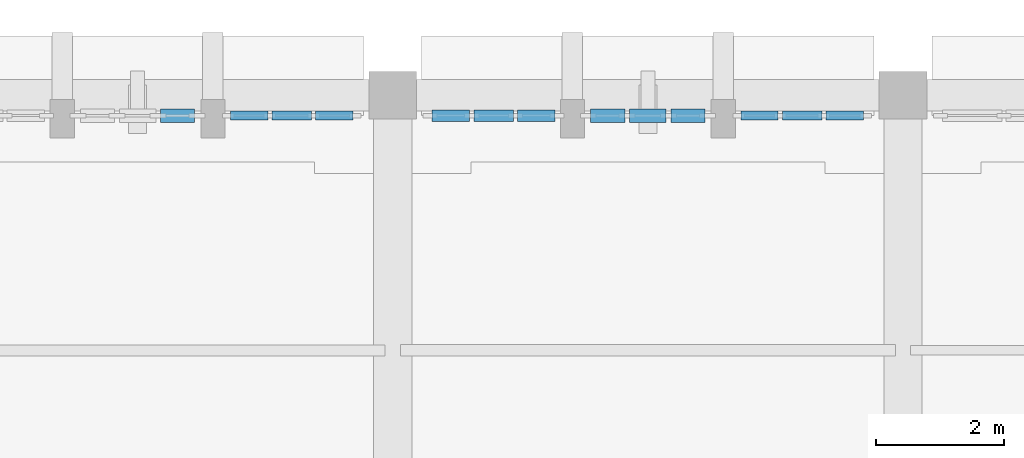
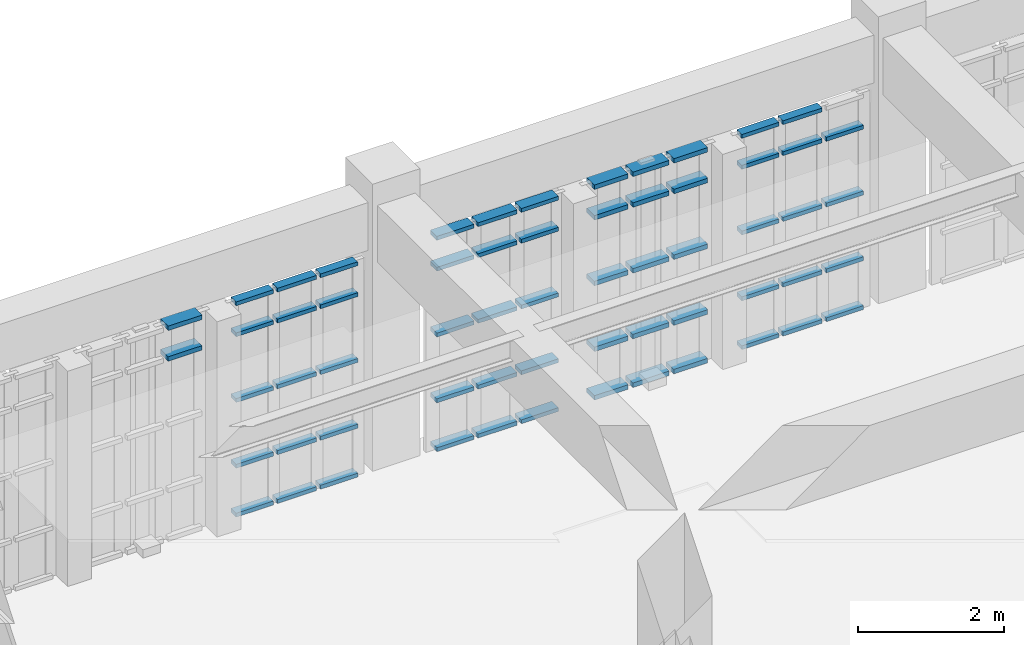
# One storey, part 72 of 155: 61 members, 5 elements without a shape of their own.
"""IFC4 building model written with IfcOpenShell, lengths in metres."""

from ifc_helpers import new_model, si_unit, direction, frame, origin, origin_2d, place, context, subcontext, project, spatial, rectangle, extrude, material, layer, layer_set, material_profile, profile_set, type_object, element, aggregate, save


model = new_model("IFC4")

# Units and contexts
model_context = context("Model", 3, precision=1e-05, world=origin(), true_north=direction((0.0, 1.0)))
body_context = subcontext(model_context, "Body", "Model", "MODEL_VIEW")
ifc_project = project(units=[si_unit("LENGTHUNIT", "METRE"), si_unit("AREAUNIT", "SQUARE_METRE"), si_unit("VOLUMEUNIT", "CUBIC_METRE"), si_unit("PLANEANGLEUNIT", "RADIAN"), si_unit("MASSUNIT", "GRAM", prefix="KILO")], contexts=[model_context])

# Site, building, storey
site_placement = place(None, origin())
site = spatial("IfcSite", under=ifc_project, at=site_placement, CompositionType="ELEMENT")
building_placement = place(site_placement, origin())
building = spatial("IfcBuilding", under=site, at=building_placement, Name="Tazarka Park Arena", CompositionType="ELEMENT")
storey_placement = place(building_placement, frame((0.0, 0.0, 5.39990234375)))
storey = spatial("IfcBuildingStorey", under=building, at=storey_placement, Name="L01", CompositionType="ELEMENT", Elevation=5.39990234375)

# Curtain wall, members
ifc_material_1 = material(Name="Aluminium and low-e glass", Category="aluminium")
ifc_layer_1 = layer(ifc_material_1, 0.179931640625, Name="Aluminium and low-e glass")
ifc_layer_set_1 = layer_set([ifc_layer_1], Name="Aluminium and low-e glass")
curtain_wall_type_1 = type_object("IfcCurtainWallType", Name="CW-03", PredefinedType="NOTDEFINED", material=ifc_layer_set_1)
curtain_wall_1_placement = place(storey_placement, origin())
curtain_wall_1 = element("IfcCurtainWall", 1, at=curtain_wall_1_placement, inside=storey, type_object=curtain_wall_type_1, Name="Curtain Wall CWA-L01-033", PredefinedType="NOTDEFINED")
ifc_material_2 = material(Name="Aluminium 6060-T66", Category="aluminium")
ifc_material_profile_1 = material_profile(ifc_material_2, rectangle(XDim=0.139892578125, YDim=0.06494140625, at=origin_2d()), Name="Aluminium 6060-T66")
ifc_profile_set_1 = profile_set([ifc_material_profile_1], Name="Aluminium 6060-T66")
member_type_1 = type_object("IfcMemberType", Name="CWT-01", PredefinedType="USERDEFINED", material=ifc_profile_set_1)
member_1_placement = place(storey_placement, frame((101.456787109375, 127.679931640625, 0.03271484375), z_axis=(1.0, 0.0, 0.0), x_axis=(0.0, 1.0, 0.0)))
member_1 = element("IfcMember", 2, at=member_1_placement, type_object=member_type_1, Name="CW-03 transom 1.1", ObjectType="TRANSOM", PredefinedType="USERDEFINED", context=body_context, shape_type="SweptSolid", body=[
    extrude(rectangle(XDim=0.139892578125, YDim=0.06494140625, at=origin_2d()), origin(), (0.0, 0.0, 1.0), 0.5869140625),
])
member_2_placement = place(storey_placement, frame((101.456787109375, 127.679931640625, 0.85009765625), z_axis=(1.0, 0.0, 0.0), x_axis=(0.0, 1.0, 0.0)))
member_2 = element("IfcMember", 3, at=member_2_placement, type_object=member_type_1, Name="CW-03 transom 1.2", ObjectType="TRANSOM", PredefinedType="USERDEFINED", context=body_context, shape_type="SweptSolid", body=[
    extrude(rectangle(XDim=0.139892578125, YDim=0.06494140625, at=origin_2d()), origin(), (0.0, 0.0, 1.0), 0.5869140625),
])
member_3_placement = place(storey_placement, frame((101.456787109375, 127.679931640625, 1.9501953125), z_axis=(1.0, 0.0, 0.0), x_axis=(0.0, 1.0, 0.0)))
member_3 = element("IfcMember", 4, at=member_3_placement, type_object=member_type_1, Name="CW-03 transom 1.3", ObjectType="TRANSOM", PredefinedType="USERDEFINED", context=body_context, shape_type="SweptSolid", body=[
    extrude(rectangle(XDim=0.139892578125, YDim=0.06494140625, at=origin_2d()), origin(), (0.0, 0.0, 1.0), 0.5869140625),
])
member_4_placement = place(storey_placement, frame((101.456787109375, 127.679931640625, 3.050048828125), z_axis=(1.0, 0.0, 0.0), x_axis=(0.0, 1.0, 0.0)))
member_4 = element("IfcMember", 5, at=member_4_placement, type_object=member_type_1, Name="CW-03 transom 1.4", ObjectType="TRANSOM", PredefinedType="USERDEFINED", context=body_context, shape_type="SweptSolid", body=[
    extrude(rectangle(XDim=0.139892578125, YDim=0.06494140625, at=origin_2d()), origin(), (0.0, 0.0, 1.0), 0.5869140625),
])
member_5_placement = place(storey_placement, frame((101.456787109375, 127.679931640625, 3.567626953125), z_axis=(1.0, 0.0, 0.0), x_axis=(0.0, 1.0, 0.0)))
member_5 = element("IfcMember", 6, at=member_5_placement, type_object=member_type_1, Name="CW-03 transom 1.5", ObjectType="TRANSOM", PredefinedType="USERDEFINED", context=body_context, shape_type="SweptSolid", body=[
    extrude(rectangle(XDim=0.139892578125, YDim=0.06494140625, at=origin_2d()), origin(), (0.0, 0.0, 1.0), 0.5869140625),
])
member_6_placement = place(storey_placement, frame((102.108642578125, 127.679931640625, 0.03271484375), z_axis=(1.0, 0.0, 0.0), x_axis=(0.0, 1.0, 0.0)))
member_6 = element("IfcMember", 7, at=member_6_placement, type_object=member_type_1, Name="CW-03 transom 2.1", ObjectType="TRANSOM", PredefinedType="USERDEFINED", context=body_context, shape_type="SweptSolid", body=[
    extrude(rectangle(XDim=0.139892578125, YDim=0.06494140625, at=origin_2d()), origin(), (0.0, 0.0, 1.0), 0.619384765625),
])
member_7_placement = place(storey_placement, frame((102.108642578125, 127.679931640625, 0.85009765625), z_axis=(1.0, 0.0, 0.0), x_axis=(0.0, 1.0, 0.0)))
member_7 = element("IfcMember", 8, at=member_7_placement, type_object=member_type_1, Name="CW-03 transom 2.2", ObjectType="TRANSOM", PredefinedType="USERDEFINED", context=body_context, shape_type="SweptSolid", body=[
    extrude(rectangle(XDim=0.139892578125, YDim=0.06494140625, at=origin_2d()), origin(), (0.0, 0.0, 1.0), 0.619384765625),
])
member_8_placement = place(storey_placement, frame((102.108642578125, 127.679931640625, 1.9501953125), z_axis=(1.0, 0.0, 0.0), x_axis=(0.0, 1.0, 0.0)))
member_8 = element("IfcMember", 9, at=member_8_placement, type_object=member_type_1, Name="CW-03 transom 2.3", ObjectType="TRANSOM", PredefinedType="USERDEFINED", context=body_context, shape_type="SweptSolid", body=[
    extrude(rectangle(XDim=0.139892578125, YDim=0.06494140625, at=origin_2d()), origin(), (0.0, 0.0, 1.0), 0.619384765625),
])
member_9_placement = place(storey_placement, frame((102.108642578125, 127.679931640625, 3.050048828125), z_axis=(1.0, 0.0, 0.0), x_axis=(0.0, 1.0, 0.0)))
member_9 = element("IfcMember", 10, at=member_9_placement, type_object=member_type_1, Name="CW-03 transom 2.4", ObjectType="TRANSOM", PredefinedType="USERDEFINED", context=body_context, shape_type="SweptSolid", body=[
    extrude(rectangle(XDim=0.139892578125, YDim=0.06494140625, at=origin_2d()), origin(), (0.0, 0.0, 1.0), 0.619384765625),
])
member_10_placement = place(storey_placement, frame((102.108642578125, 127.679931640625, 3.567626953125), z_axis=(1.0, 0.0, 0.0), x_axis=(0.0, 1.0, 0.0)))
member_10 = element("IfcMember", 11, at=member_10_placement, type_object=member_type_1, Name="CW-03 transom 2.5", ObjectType="TRANSOM", PredefinedType="USERDEFINED", context=body_context, shape_type="SweptSolid", body=[
    extrude(rectangle(XDim=0.139892578125, YDim=0.06494140625, at=origin_2d()), origin(), (0.0, 0.0, 1.0), 0.619384765625),
])
member_11_placement = place(storey_placement, frame((102.79296875, 127.679931640625, 0.03271484375), z_axis=(1.0, 0.0, 0.0), x_axis=(0.0, 1.0, 0.0)))
member_11 = element("IfcMember", 12, at=member_11_placement, type_object=member_type_1, Name="CW-03 transom 3.1", ObjectType="TRANSOM", PredefinedType="USERDEFINED", context=body_context, shape_type="SweptSolid", body=[
    extrude(rectangle(XDim=0.139892578125, YDim=0.06494140625, at=origin_2d()), origin(), (0.0, 0.0, 1.0), 0.5869140625),
])
member_12_placement = place(storey_placement, frame((102.79296875, 127.679931640625, 0.85009765625), z_axis=(1.0, 0.0, 0.0), x_axis=(0.0, 1.0, 0.0)))
member_12 = element("IfcMember", 13, at=member_12_placement, type_object=member_type_1, Name="CW-03 transom 3.2", ObjectType="TRANSOM", PredefinedType="USERDEFINED", context=body_context, shape_type="SweptSolid", body=[
    extrude(rectangle(XDim=0.139892578125, YDim=0.06494140625, at=origin_2d()), origin(), (0.0, 0.0, 1.0), 0.5869140625),
])
member_13_placement = place(storey_placement, frame((102.79296875, 127.679931640625, 1.9501953125), z_axis=(1.0, 0.0, 0.0), x_axis=(0.0, 1.0, 0.0)))
member_13 = element("IfcMember", 14, at=member_13_placement, type_object=member_type_1, Name="CW-03 transom 3.3", ObjectType="TRANSOM", PredefinedType="USERDEFINED", context=body_context, shape_type="SweptSolid", body=[
    extrude(rectangle(XDim=0.139892578125, YDim=0.06494140625, at=origin_2d()), origin(), (0.0, 0.0, 1.0), 0.5869140625),
])
member_14_placement = place(storey_placement, frame((102.79296875, 127.679931640625, 3.050048828125), z_axis=(1.0, 0.0, 0.0), x_axis=(0.0, 1.0, 0.0)))
member_14 = element("IfcMember", 15, at=member_14_placement, type_object=member_type_1, Name="CW-03 transom 3.4", ObjectType="TRANSOM", PredefinedType="USERDEFINED", context=body_context, shape_type="SweptSolid", body=[
    extrude(rectangle(XDim=0.139892578125, YDim=0.06494140625, at=origin_2d()), origin(), (0.0, 0.0, 1.0), 0.5869140625),
])
aggregate(curtain_wall_1, [member_1, member_2, member_3, member_4, member_5, member_6, member_7, member_8, member_9, member_10, member_11, member_12, member_13, member_14])

ifc_material_3 = material(Name="Aluminium and low-e glass", Category="aluminium")
ifc_layer_2 = layer(ifc_material_3, 0.179931640625, Name="Aluminium and low-e glass")
ifc_layer_set_2 = layer_set([ifc_layer_2], Name="Aluminium and low-e glass")
curtain_wall_type_2 = type_object("IfcCurtainWallType", Name="CW-06", PredefinedType="NOTDEFINED", material=ifc_layer_set_2)
curtain_wall_2_placement = place(storey_placement, origin())
curtain_wall_2 = element("IfcCurtainWall", 16, at=curtain_wall_2_placement, inside=storey, type_object=curtain_wall_type_2, Name="Curtain Wall CWA-L01-036", PredefinedType="NOTDEFINED")
member_15_placement = place(storey_placement, frame((93.456787109375, 127.679931640625, 0.03271484375), z_axis=(1.0, 0.0, 0.0), x_axis=(0.0, 1.0, 0.0)))
member_15 = element("IfcMember", 17, at=member_15_placement, type_object=member_type_1, Name="CW-06 transom 1.1", ObjectType="TRANSOM", PredefinedType="USERDEFINED", context=body_context, shape_type="SweptSolid", body=[
    extrude(rectangle(XDim=0.139892578125, YDim=0.06494140625, at=origin_2d()), origin(), (0.0, 0.0, 1.0), 0.5869140625),
])
member_16_placement = place(storey_placement, frame((93.456787109375, 127.679931640625, 0.85009765625), z_axis=(1.0, 0.0, 0.0), x_axis=(0.0, 1.0, 0.0)))
member_16 = element("IfcMember", 18, at=member_16_placement, type_object=member_type_1, Name="CW-06 transom 1.2", ObjectType="TRANSOM", PredefinedType="USERDEFINED", context=body_context, shape_type="SweptSolid", body=[
    extrude(rectangle(XDim=0.139892578125, YDim=0.06494140625, at=origin_2d()), origin(), (0.0, 0.0, 1.0), 0.5869140625),
])
member_17_placement = place(storey_placement, frame((93.456787109375, 127.679931640625, 1.9501953125), z_axis=(1.0, 0.0, 0.0), x_axis=(0.0, 1.0, 0.0)))
member_17 = element("IfcMember", 19, at=member_17_placement, type_object=member_type_1, Name="CW-06 transom 1.3", ObjectType="TRANSOM", PredefinedType="USERDEFINED", context=body_context, shape_type="SweptSolid", body=[
    extrude(rectangle(XDim=0.139892578125, YDim=0.06494140625, at=origin_2d()), origin(), (0.0, 0.0, 1.0), 0.5869140625),
])
member_18_placement = place(storey_placement, frame((93.456787109375, 127.679931640625, 3.050048828125), z_axis=(1.0, 0.0, 0.0), x_axis=(0.0, 1.0, 0.0)))
member_18 = element("IfcMember", 20, at=member_18_placement, type_object=member_type_1, Name="CW-06 transom 1.4", ObjectType="TRANSOM", PredefinedType="USERDEFINED", context=body_context, shape_type="SweptSolid", body=[
    extrude(rectangle(XDim=0.139892578125, YDim=0.06494140625, at=origin_2d()), origin(), (0.0, 0.0, 1.0), 0.5869140625),
])
member_19_placement = place(storey_placement, frame((93.456787109375, 127.679931640625, 3.567626953125), z_axis=(1.0, 0.0, 0.0), x_axis=(0.0, 1.0, 0.0)))
member_19 = element("IfcMember", 21, at=member_19_placement, type_object=member_type_1, Name="CW-06 transom 1.5", ObjectType="TRANSOM", PredefinedType="USERDEFINED", context=body_context, shape_type="SweptSolid", body=[
    extrude(rectangle(XDim=0.139892578125, YDim=0.06494140625, at=origin_2d()), origin(), (0.0, 0.0, 1.0), 0.5869140625),
])
member_20_placement = place(storey_placement, frame((94.108642578125, 127.679931640625, 0.03271484375), z_axis=(1.0, 0.0, 0.0), x_axis=(0.0, 1.0, 0.0)))
member_20 = element("IfcMember", 22, at=member_20_placement, type_object=member_type_1, Name="CW-06 transom 2.1", ObjectType="TRANSOM", PredefinedType="USERDEFINED", context=body_context, shape_type="SweptSolid", body=[
    extrude(rectangle(XDim=0.139892578125, YDim=0.06494140625, at=origin_2d()), origin(), (0.0, 0.0, 1.0), 0.619384765625),
])
member_21_placement = place(storey_placement, frame((94.108642578125, 127.679931640625, 0.85009765625), z_axis=(1.0, 0.0, 0.0), x_axis=(0.0, 1.0, 0.0)))
member_21 = element("IfcMember", 23, at=member_21_placement, type_object=member_type_1, Name="CW-06 transom 2.2", ObjectType="TRANSOM", PredefinedType="USERDEFINED", context=body_context, shape_type="SweptSolid", body=[
    extrude(rectangle(XDim=0.139892578125, YDim=0.06494140625, at=origin_2d()), origin(), (0.0, 0.0, 1.0), 0.619384765625),
])
member_22_placement = place(storey_placement, frame((94.108642578125, 127.679931640625, 1.9501953125), z_axis=(1.0, 0.0, 0.0), x_axis=(0.0, 1.0, 0.0)))
member_22 = element("IfcMember", 24, at=member_22_placement, type_object=member_type_1, Name="CW-06 transom 2.3", ObjectType="TRANSOM", PredefinedType="USERDEFINED", context=body_context, shape_type="SweptSolid", body=[
    extrude(rectangle(XDim=0.139892578125, YDim=0.06494140625, at=origin_2d()), origin(), (0.0, 0.0, 1.0), 0.619384765625),
])
member_23_placement = place(storey_placement, frame((94.108642578125, 127.679931640625, 3.050048828125), z_axis=(1.0, 0.0, 0.0), x_axis=(0.0, 1.0, 0.0)))
member_23 = element("IfcMember", 25, at=member_23_placement, type_object=member_type_1, Name="CW-06 transom 2.4", ObjectType="TRANSOM", PredefinedType="USERDEFINED", context=body_context, shape_type="SweptSolid", body=[
    extrude(rectangle(XDim=0.139892578125, YDim=0.06494140625, at=origin_2d()), origin(), (0.0, 0.0, 1.0), 0.619384765625),
])
member_24_placement = place(storey_placement, frame((94.108642578125, 127.679931640625, 3.567626953125), z_axis=(1.0, 0.0, 0.0), x_axis=(0.0, 1.0, 0.0)))
member_24 = element("IfcMember", 26, at=member_24_placement, type_object=member_type_1, Name="CW-06 transom 2.5", ObjectType="TRANSOM", PredefinedType="USERDEFINED", context=body_context, shape_type="SweptSolid", body=[
    extrude(rectangle(XDim=0.139892578125, YDim=0.06494140625, at=origin_2d()), origin(), (0.0, 0.0, 1.0), 0.619384765625),
])
member_25_placement = place(storey_placement, frame((94.79296875, 127.679931640625, 0.03271484375), z_axis=(1.0, 0.0, 0.0), x_axis=(0.0, 1.0, 0.0)))
member_25 = element("IfcMember", 27, at=member_25_placement, type_object=member_type_1, Name="CW-06 transom 3.1", ObjectType="TRANSOM", PredefinedType="USERDEFINED", context=body_context, shape_type="SweptSolid", body=[
    extrude(rectangle(XDim=0.139892578125, YDim=0.06494140625, at=origin_2d()), origin(), (0.0, 0.0, 1.0), 0.5869140625),
])
member_26_placement = place(storey_placement, frame((94.79296875, 127.679931640625, 0.85009765625), z_axis=(1.0, 0.0, 0.0), x_axis=(0.0, 1.0, 0.0)))
member_26 = element("IfcMember", 28, at=member_26_placement, type_object=member_type_1, Name="CW-06 transom 3.2", ObjectType="TRANSOM", PredefinedType="USERDEFINED", context=body_context, shape_type="SweptSolid", body=[
    extrude(rectangle(XDim=0.139892578125, YDim=0.06494140625, at=origin_2d()), origin(), (0.0, 0.0, 1.0), 0.5869140625),
])
member_27_placement = place(storey_placement, frame((94.79296875, 127.679931640625, 1.9501953125), z_axis=(1.0, 0.0, 0.0), x_axis=(0.0, 1.0, 0.0)))
member_27 = element("IfcMember", 29, at=member_27_placement, type_object=member_type_1, Name="CW-06 transom 3.3", ObjectType="TRANSOM", PredefinedType="USERDEFINED", context=body_context, shape_type="SweptSolid", body=[
    extrude(rectangle(XDim=0.139892578125, YDim=0.06494140625, at=origin_2d()), origin(), (0.0, 0.0, 1.0), 0.5869140625),
])
member_28_placement = place(storey_placement, frame((94.79296875, 127.679931640625, 3.050048828125), z_axis=(1.0, 0.0, 0.0), x_axis=(0.0, 1.0, 0.0)))
member_28 = element("IfcMember", 30, at=member_28_placement, type_object=member_type_1, Name="CW-06 transom 3.4", ObjectType="TRANSOM", PredefinedType="USERDEFINED", context=body_context, shape_type="SweptSolid", body=[
    extrude(rectangle(XDim=0.139892578125, YDim=0.06494140625, at=origin_2d()), origin(), (0.0, 0.0, 1.0), 0.5869140625),
])
member_29_placement = place(storey_placement, frame((94.79296875, 127.679931640625, 3.567626953125), z_axis=(1.0, 0.0, 0.0), x_axis=(0.0, 1.0, 0.0)))
member_29 = element("IfcMember", 31, at=member_29_placement, type_object=member_type_1, Name="CW-06 transom 3.5", ObjectType="TRANSOM", PredefinedType="USERDEFINED", context=body_context, shape_type="SweptSolid", body=[
    extrude(rectangle(XDim=0.139892578125, YDim=0.06494140625, at=origin_2d()), origin(), (0.0, 0.0, 1.0), 0.5869140625),
])
aggregate(curtain_wall_2, [member_15, member_16, member_17, member_18, member_19, member_20, member_21, member_22, member_23, member_24, member_25, member_26, member_27, member_28, member_29])

ifc_material_4 = material(Name="Aluminium and low-e glass", Category="aluminium")
ifc_layer_3 = layer(ifc_material_4, 0.179931640625, Name="Aluminium and low-e glass")
ifc_layer_set_3 = layer_set([ifc_layer_3], Name="Aluminium and low-e glass")
curtain_wall_type_3 = type_object("IfcCurtainWallType", Name="CW-01", PredefinedType="NOTDEFINED", material=ifc_layer_set_3)
curtain_wall_3_placement = place(storey_placement, origin())
curtain_wall_3 = element("IfcCurtainWall", 32, at=curtain_wall_3_placement, inside=storey, type_object=curtain_wall_type_3, Name="Curtain Wall CWA-L01-031", PredefinedType="NOTDEFINED")
ifc_material_5 = material(Name="Aluminium 6060-T66", Category="aluminium")
ifc_material_profile_2 = material_profile(ifc_material_5, rectangle(XDim=0.179931640625, YDim=0.06494140625, at=origin_2d()), Name="Aluminium 6060-T66")
ifc_profile_set_2 = profile_set([ifc_material_profile_2], Name="Aluminium 6060-T66")
member_type_2 = type_object("IfcMemberType", Name="CWT-02", PredefinedType="USERDEFINED", material=ifc_profile_set_2)
member_30_placement = place(storey_placement, frame((96.6201171875, 127.679931640625, 0.03271484375), z_axis=(1.0, 0.0, 0.0), x_axis=(0.0, 1.0, 0.0)))
member_30 = element("IfcMember", 33, at=member_30_placement, type_object=member_type_2, Name="CW-01 transom 1.1", ObjectType="TRANSOM", PredefinedType="USERDEFINED", context=body_context, shape_type="SweptSolid", body=[
    extrude(rectangle(XDim=0.179931640625, YDim=0.06494140625, at=origin_2d()), origin(), (0.0, 0.0, 1.0), 0.5869140625),
])
member_31_placement = place(storey_placement, frame((96.6201171875, 127.679931640625, 0.85009765625), z_axis=(1.0, 0.0, 0.0), x_axis=(0.0, 1.0, 0.0)))
member_31 = element("IfcMember", 34, at=member_31_placement, type_object=member_type_2, Name="CW-01 transom 1.2", ObjectType="TRANSOM", PredefinedType="USERDEFINED", context=body_context, shape_type="SweptSolid", body=[
    extrude(rectangle(XDim=0.179931640625, YDim=0.06494140625, at=origin_2d()), origin(), (0.0, 0.0, 1.0), 0.5869140625),
])
member_32_placement = place(storey_placement, frame((96.6201171875, 127.679931640625, 1.9501953125), z_axis=(1.0, 0.0, 0.0), x_axis=(0.0, 1.0, 0.0)))
member_32 = element("IfcMember", 35, at=member_32_placement, type_object=member_type_2, Name="CW-01 transom 1.3", ObjectType="TRANSOM", PredefinedType="USERDEFINED", context=body_context, shape_type="SweptSolid", body=[
    extrude(rectangle(XDim=0.179931640625, YDim=0.06494140625, at=origin_2d()), origin(), (0.0, 0.0, 1.0), 0.5869140625),
])
member_33_placement = place(storey_placement, frame((96.6201171875, 127.679931640625, 3.050048828125), z_axis=(1.0, 0.0, 0.0), x_axis=(0.0, 1.0, 0.0)))
member_33 = element("IfcMember", 36, at=member_33_placement, type_object=member_type_2, Name="CW-01 transom 1.4", ObjectType="TRANSOM", PredefinedType="USERDEFINED", context=body_context, shape_type="SweptSolid", body=[
    extrude(rectangle(XDim=0.179931640625, YDim=0.06494140625, at=origin_2d()), origin(), (0.0, 0.0, 1.0), 0.5869140625),
])
member_34_placement = place(storey_placement, frame((96.6201171875, 127.679931640625, 3.567626953125), z_axis=(1.0, 0.0, 0.0), x_axis=(0.0, 1.0, 0.0)))
member_34 = element("IfcMember", 37, at=member_34_placement, type_object=member_type_2, Name="CW-01 transom 1.5", ObjectType="TRANSOM", PredefinedType="USERDEFINED", context=body_context, shape_type="SweptSolid", body=[
    extrude(rectangle(XDim=0.179931640625, YDim=0.06494140625, at=origin_2d()), origin(), (0.0, 0.0, 1.0), 0.5869140625),
])
member_35_placement = place(storey_placement, frame((97.27197265625, 127.679931640625, 0.03271484375), z_axis=(1.0, 0.0, 0.0), x_axis=(0.0, 1.0, 0.0)))
member_35 = element("IfcMember", 38, at=member_35_placement, type_object=member_type_2, Name="CW-01 transom 2.1", ObjectType="TRANSOM", PredefinedType="USERDEFINED", context=body_context, shape_type="SweptSolid", body=[
    extrude(rectangle(XDim=0.179931640625, YDim=0.06494140625, at=origin_2d()), origin(), (0.0, 0.0, 1.0), 0.619384765625),
])
member_36_placement = place(storey_placement, frame((97.27197265625, 127.679931640625, 0.85009765625), z_axis=(1.0, 0.0, 0.0), x_axis=(0.0, 1.0, 0.0)))
member_36 = element("IfcMember", 39, at=member_36_placement, type_object=member_type_2, Name="CW-01 transom 2.2", ObjectType="TRANSOM", PredefinedType="USERDEFINED", context=body_context, shape_type="SweptSolid", body=[
    extrude(rectangle(XDim=0.179931640625, YDim=0.06494140625, at=origin_2d()), origin(), (0.0, 0.0, 1.0), 0.619384765625),
])
member_37_placement = place(storey_placement, frame((97.27197265625, 127.679931640625, 1.9501953125), z_axis=(1.0, 0.0, 0.0), x_axis=(0.0, 1.0, 0.0)))
member_37 = element("IfcMember", 40, at=member_37_placement, type_object=member_type_2, Name="CW-01 transom 2.3", ObjectType="TRANSOM", PredefinedType="USERDEFINED", context=body_context, shape_type="SweptSolid", body=[
    extrude(rectangle(XDim=0.179931640625, YDim=0.06494140625, at=origin_2d()), origin(), (0.0, 0.0, 1.0), 0.619384765625),
])
member_38_placement = place(storey_placement, frame((97.27197265625, 127.679931640625, 3.050048828125), z_axis=(1.0, 0.0, 0.0), x_axis=(0.0, 1.0, 0.0)))
member_38 = element("IfcMember", 41, at=member_38_placement, type_object=member_type_2, Name="CW-01 transom 2.4", ObjectType="TRANSOM", PredefinedType="USERDEFINED", context=body_context, shape_type="SweptSolid", body=[
    extrude(rectangle(XDim=0.179931640625, YDim=0.06494140625, at=origin_2d()), origin(), (0.0, 0.0, 1.0), 0.619384765625),
])
member_39_placement = place(storey_placement, frame((97.27197265625, 127.679931640625, 3.567626953125), z_axis=(1.0, 0.0, 0.0), x_axis=(0.0, 1.0, 0.0)))
member_39 = element("IfcMember", 42, at=member_39_placement, type_object=member_type_2, Name="CW-01 transom 2.5", ObjectType="TRANSOM", PredefinedType="USERDEFINED", context=body_context, shape_type="SweptSolid", body=[
    extrude(rectangle(XDim=0.179931640625, YDim=0.06494140625, at=origin_2d()), origin(), (0.0, 0.0, 1.0), 0.619384765625),
])
member_40_placement = place(storey_placement, frame((97.956298828125, 127.679931640625, 0.03271484375), z_axis=(1.0, 0.0, 0.0), x_axis=(0.0, 1.0, 0.0)))
member_40 = element("IfcMember", 43, at=member_40_placement, type_object=member_type_2, Name="CW-01 transom 3.1", ObjectType="TRANSOM", PredefinedType="USERDEFINED", context=body_context, shape_type="SweptSolid", body=[
    extrude(rectangle(XDim=0.179931640625, YDim=0.06494140625, at=origin_2d()), origin(), (0.0, 0.0, 1.0), 0.5869140625),
])
member_41_placement = place(storey_placement, frame((97.956298828125, 127.679931640625, 0.85009765625), z_axis=(1.0, 0.0, 0.0), x_axis=(0.0, 1.0, 0.0)))
member_41 = element("IfcMember", 44, at=member_41_placement, type_object=member_type_2, Name="CW-01 transom 3.2", ObjectType="TRANSOM", PredefinedType="USERDEFINED", context=body_context, shape_type="SweptSolid", body=[
    extrude(rectangle(XDim=0.179931640625, YDim=0.06494140625, at=origin_2d()), origin(), (0.0, 0.0, 1.0), 0.5869140625),
])
member_42_placement = place(storey_placement, frame((97.956298828125, 127.679931640625, 1.9501953125), z_axis=(1.0, 0.0, 0.0), x_axis=(0.0, 1.0, 0.0)))
member_42 = element("IfcMember", 45, at=member_42_placement, type_object=member_type_2, Name="CW-01 transom 3.3", ObjectType="TRANSOM", PredefinedType="USERDEFINED", context=body_context, shape_type="SweptSolid", body=[
    extrude(rectangle(XDim=0.179931640625, YDim=0.06494140625, at=origin_2d()), origin(), (0.0, 0.0, 1.0), 0.5869140625),
])
member_43_placement = place(storey_placement, frame((97.956298828125, 127.679931640625, 3.050048828125), z_axis=(1.0, 0.0, 0.0), x_axis=(0.0, 1.0, 0.0)))
member_43 = element("IfcMember", 46, at=member_43_placement, type_object=member_type_2, Name="CW-01 transom 3.4", ObjectType="TRANSOM", PredefinedType="USERDEFINED", context=body_context, shape_type="SweptSolid", body=[
    extrude(rectangle(XDim=0.179931640625, YDim=0.06494140625, at=origin_2d()), origin(), (0.0, 0.0, 1.0), 0.5869140625),
])
member_44_placement = place(storey_placement, frame((97.956298828125, 127.679931640625, 3.567626953125), z_axis=(1.0, 0.0, 0.0), x_axis=(0.0, 1.0, 0.0)))
member_44 = element("IfcMember", 47, at=member_44_placement, type_object=member_type_2, Name="CW-01 transom 3.5", ObjectType="TRANSOM", PredefinedType="USERDEFINED", context=body_context, shape_type="SweptSolid", body=[
    extrude(rectangle(XDim=0.179931640625, YDim=0.06494140625, at=origin_2d()), origin(), (0.0, 0.0, 1.0), 0.5869140625),
])
aggregate(curtain_wall_3, [member_30, member_31, member_32, member_33, member_34, member_35, member_36, member_37, member_38, member_39, member_40, member_41, member_42, member_43, member_44])

ifc_material_6 = material(Name="Aluminium and low-e glass", Category="aluminium")
ifc_layer_4 = layer(ifc_material_6, 0.179931640625, Name="Aluminium and low-e glass")
ifc_layer_set_4 = layer_set([ifc_layer_4], Name="Aluminium and low-e glass")
curtain_wall_type_4 = type_object("IfcCurtainWallType", Name="CW-02", PredefinedType="NOTDEFINED", material=ifc_layer_set_4)
curtain_wall_4_placement = place(storey_placement, origin())
curtain_wall_4 = element("IfcCurtainWall", 48, at=curtain_wall_4_placement, inside=storey, type_object=curtain_wall_type_4, Name="Curtain Wall CWA-L01-032", PredefinedType="NOTDEFINED")
ifc_material_7 = material(Name="Aluminium 6060-T66", Category="aluminium")
ifc_material_profile_3 = material_profile(ifc_material_7, rectangle(XDim=0.2099609375, YDim=0.074951171875, at=origin_2d()), Name="Aluminium 6060-T66")
ifc_profile_set_3 = profile_set([ifc_material_profile_3], Name="Aluminium 6060-T66")
member_type_3 = type_object("IfcMemberType", Name="CWT-03", PredefinedType="USERDEFINED", material=ifc_profile_set_3)
member_45_placement = place(storey_placement, frame((99.103271484375, 127.679931640625, 0.03759765625), z_axis=(1.0, 0.0, 0.0), x_axis=(0.0, 1.0, 0.0)))
member_45 = element("IfcMember", 49, at=member_45_placement, type_object=member_type_3, Name="CW-02 transom 1.1", ObjectType="TRANSOM", PredefinedType="USERDEFINED", context=body_context, shape_type="SweptSolid", body=[
    extrude(rectangle(XDim=0.2099609375, YDim=0.074951171875, at=origin_2d()), origin(), (0.0, 0.0, 1.0), 0.535400390625),
])
member_46_placement = place(storey_placement, frame((99.103271484375, 127.679931640625, 0.85009765625), z_axis=(1.0, 0.0, 0.0), x_axis=(0.0, 1.0, 0.0)))
member_46 = element("IfcMember", 50, at=member_46_placement, type_object=member_type_3, Name="CW-02 transom 1.2", ObjectType="TRANSOM", PredefinedType="USERDEFINED", context=body_context, shape_type="SweptSolid", body=[
    extrude(rectangle(XDim=0.2099609375, YDim=0.074951171875, at=origin_2d()), origin(), (0.0, 0.0, 1.0), 0.535400390625),
])
member_47_placement = place(storey_placement, frame((99.103271484375, 127.679931640625, 1.9501953125), z_axis=(1.0, 0.0, 0.0), x_axis=(0.0, 1.0, 0.0)))
member_47 = element("IfcMember", 51, at=member_47_placement, type_object=member_type_3, Name="CW-02 transom 1.3", ObjectType="TRANSOM", PredefinedType="USERDEFINED", context=body_context, shape_type="SweptSolid", body=[
    extrude(rectangle(XDim=0.2099609375, YDim=0.074951171875, at=origin_2d()), origin(), (0.0, 0.0, 1.0), 0.535400390625),
])
member_48_placement = place(storey_placement, frame((99.103271484375, 127.679931640625, 3.050048828125), z_axis=(1.0, 0.0, 0.0), x_axis=(0.0, 1.0, 0.0)))
member_48 = element("IfcMember", 52, at=member_48_placement, type_object=member_type_3, Name="CW-02 transom 1.4", ObjectType="TRANSOM", PredefinedType="USERDEFINED", context=body_context, shape_type="SweptSolid", body=[
    extrude(rectangle(XDim=0.2099609375, YDim=0.074951171875, at=origin_2d()), origin(), (0.0, 0.0, 1.0), 0.535400390625),
])
member_49_placement = place(storey_placement, frame((99.103271484375, 127.679931640625, 3.5625), z_axis=(1.0, 0.0, 0.0), x_axis=(0.0, 1.0, 0.0)))
member_49 = element("IfcMember", 53, at=member_49_placement, type_object=member_type_3, Name="CW-02 transom 1.5", ObjectType="TRANSOM", PredefinedType="USERDEFINED", context=body_context, shape_type="SweptSolid", body=[
    extrude(rectangle(XDim=0.2099609375, YDim=0.074951171875, at=origin_2d()), origin(), (0.0, 0.0, 1.0), 0.535400390625),
])
member_50_placement = place(storey_placement, frame((99.713623046875, 127.679931640625, 0.03759765625), z_axis=(1.0, 0.0, 0.0), x_axis=(0.0, 1.0, 0.0)))
member_50 = element("IfcMember", 54, at=member_50_placement, type_object=member_type_3, Name="CW-02 transom 2.1", ObjectType="TRANSOM", PredefinedType="USERDEFINED", context=body_context, shape_type="SweptSolid", body=[
    extrude(rectangle(XDim=0.2099609375, YDim=0.074951171875, at=origin_2d()), origin(), (0.0, 0.0, 1.0), 0.57275390625),
])
member_51_placement = place(storey_placement, frame((99.713623046875, 127.679931640625, 0.85009765625), z_axis=(1.0, 0.0, 0.0), x_axis=(0.0, 1.0, 0.0)))
member_51 = element("IfcMember", 55, at=member_51_placement, type_object=member_type_3, Name="CW-02 transom 2.2", ObjectType="TRANSOM", PredefinedType="USERDEFINED", context=body_context, shape_type="SweptSolid", body=[
    extrude(rectangle(XDim=0.2099609375, YDim=0.074951171875, at=origin_2d()), origin(), (0.0, 0.0, 1.0), 0.57275390625),
])
member_52_placement = place(storey_placement, frame((99.713623046875, 127.679931640625, 1.9501953125), z_axis=(1.0, 0.0, 0.0), x_axis=(0.0, 1.0, 0.0)))
member_52 = element("IfcMember", 56, at=member_52_placement, type_object=member_type_3, Name="CW-02 transom 2.3", ObjectType="TRANSOM", PredefinedType="USERDEFINED", context=body_context, shape_type="SweptSolid", body=[
    extrude(rectangle(XDim=0.2099609375, YDim=0.074951171875, at=origin_2d()), origin(), (0.0, 0.0, 1.0), 0.57275390625),
])
member_53_placement = place(storey_placement, frame((99.713623046875, 127.679931640625, 3.050048828125), z_axis=(1.0, 0.0, 0.0), x_axis=(0.0, 1.0, 0.0)))
member_53 = element("IfcMember", 57, at=member_53_placement, type_object=member_type_3, Name="CW-02 transom 2.4", ObjectType="TRANSOM", PredefinedType="USERDEFINED", context=body_context, shape_type="SweptSolid", body=[
    extrude(rectangle(XDim=0.2099609375, YDim=0.074951171875, at=origin_2d()), origin(), (0.0, 0.0, 1.0), 0.57275390625),
])
member_54_placement = place(storey_placement, frame((99.713623046875, 127.679931640625, 3.5625), z_axis=(1.0, 0.0, 0.0), x_axis=(0.0, 1.0, 0.0)))
member_54 = element("IfcMember", 58, at=member_54_placement, type_object=member_type_3, Name="CW-02 transom 2.5", ObjectType="TRANSOM", PredefinedType="USERDEFINED", context=body_context, shape_type="SweptSolid", body=[
    extrude(rectangle(XDim=0.2099609375, YDim=0.074951171875, at=origin_2d()), origin(), (0.0, 0.0, 1.0), 0.57275390625),
])
member_55_placement = place(storey_placement, frame((100.361328125, 127.679931640625, 0.03759765625), z_axis=(1.0, 0.0, 0.0), x_axis=(0.0, 1.0, 0.0)))
member_55 = element("IfcMember", 59, at=member_55_placement, type_object=member_type_3, Name="CW-02 transom 3.1", ObjectType="TRANSOM", PredefinedType="USERDEFINED", context=body_context, shape_type="SweptSolid", body=[
    extrude(rectangle(XDim=0.2099609375, YDim=0.074951171875, at=origin_2d()), origin(), (0.0, 0.0, 1.0), 0.535400390625),
])
member_56_placement = place(storey_placement, frame((100.361328125, 127.679931640625, 0.85009765625), z_axis=(1.0, 0.0, 0.0), x_axis=(0.0, 1.0, 0.0)))
member_56 = element("IfcMember", 60, at=member_56_placement, type_object=member_type_3, Name="CW-02 transom 3.2", ObjectType="TRANSOM", PredefinedType="USERDEFINED", context=body_context, shape_type="SweptSolid", body=[
    extrude(rectangle(XDim=0.2099609375, YDim=0.074951171875, at=origin_2d()), origin(), (0.0, 0.0, 1.0), 0.535400390625),
])
member_57_placement = place(storey_placement, frame((100.361328125, 127.679931640625, 1.9501953125), z_axis=(1.0, 0.0, 0.0), x_axis=(0.0, 1.0, 0.0)))
member_57 = element("IfcMember", 61, at=member_57_placement, type_object=member_type_3, Name="CW-02 transom 3.3", ObjectType="TRANSOM", PredefinedType="USERDEFINED", context=body_context, shape_type="SweptSolid", body=[
    extrude(rectangle(XDim=0.2099609375, YDim=0.074951171875, at=origin_2d()), origin(), (0.0, 0.0, 1.0), 0.535400390625),
])
member_58_placement = place(storey_placement, frame((100.361328125, 127.679931640625, 3.050048828125), z_axis=(1.0, 0.0, 0.0), x_axis=(0.0, 1.0, 0.0)))
member_58 = element("IfcMember", 62, at=member_58_placement, type_object=member_type_3, Name="CW-02 transom 3.4", ObjectType="TRANSOM", PredefinedType="USERDEFINED", context=body_context, shape_type="SweptSolid", body=[
    extrude(rectangle(XDim=0.2099609375, YDim=0.074951171875, at=origin_2d()), origin(), (0.0, 0.0, 1.0), 0.535400390625),
])
member_59_placement = place(storey_placement, frame((100.361328125, 127.679931640625, 3.5625), z_axis=(1.0, 0.0, 0.0), x_axis=(0.0, 1.0, 0.0)))
member_59 = element("IfcMember", 63, at=member_59_placement, type_object=member_type_3, Name="CW-02 transom 3.5", ObjectType="TRANSOM", PredefinedType="USERDEFINED", context=body_context, shape_type="SweptSolid", body=[
    extrude(rectangle(XDim=0.2099609375, YDim=0.074951171875, at=origin_2d()), origin(), (0.0, 0.0, 1.0), 0.535400390625),
])
aggregate(curtain_wall_4, [member_45, member_46, member_47, member_48, member_49, member_50, member_51, member_52, member_53, member_54, member_55, member_56, member_57, member_58, member_59])

ifc_material_8 = material(Name="Aluminium and low-e glass", Category="aluminium")
ifc_layer_5 = layer(ifc_material_8, 0.179931640625, Name="Aluminium and low-e glass")
ifc_layer_set_5 = layer_set([ifc_layer_5], Name="Aluminium and low-e glass")
curtain_wall_type_5 = type_object("IfcCurtainWallType", Name="CW-05", PredefinedType="NOTDEFINED", material=ifc_layer_set_5)
curtain_wall_5_placement = place(storey_placement, origin())
curtain_wall_5 = element("IfcCurtainWall", 64, at=curtain_wall_5_placement, inside=storey, type_object=curtain_wall_type_5, Name="Curtain Wall CWA-L01-035", PredefinedType="NOTDEFINED")
member_60_placement = place(storey_placement, frame((92.361328125, 127.679931640625, 3.050048828125), z_axis=(1.0, 0.0, 0.0), x_axis=(0.0, 1.0, 0.0)))
member_60 = element("IfcMember", 65, at=member_60_placement, type_object=member_type_3, Name="CW-05 transom 3.4", ObjectType="TRANSOM", PredefinedType="USERDEFINED", context=body_context, shape_type="SweptSolid", body=[
    extrude(rectangle(XDim=0.2099609375, YDim=0.074951171875, at=origin_2d()), origin(), (0.0, 0.0, 1.0), 0.535400390625),
])
member_61_placement = place(storey_placement, frame((92.361328125, 127.679931640625, 3.5625), z_axis=(1.0, 0.0, 0.0), x_axis=(0.0, 1.0, 0.0)))
member_61 = element("IfcMember", 66, at=member_61_placement, type_object=member_type_3, Name="CW-05 transom 3.5", ObjectType="TRANSOM", PredefinedType="USERDEFINED", context=body_context, shape_type="SweptSolid", body=[
    extrude(rectangle(XDim=0.2099609375, YDim=0.074951171875, at=origin_2d()), origin(), (0.0, 0.0, 1.0), 0.535400390625),
])
aggregate(curtain_wall_5, [member_60, member_61])

save(model, "model.ifc")
